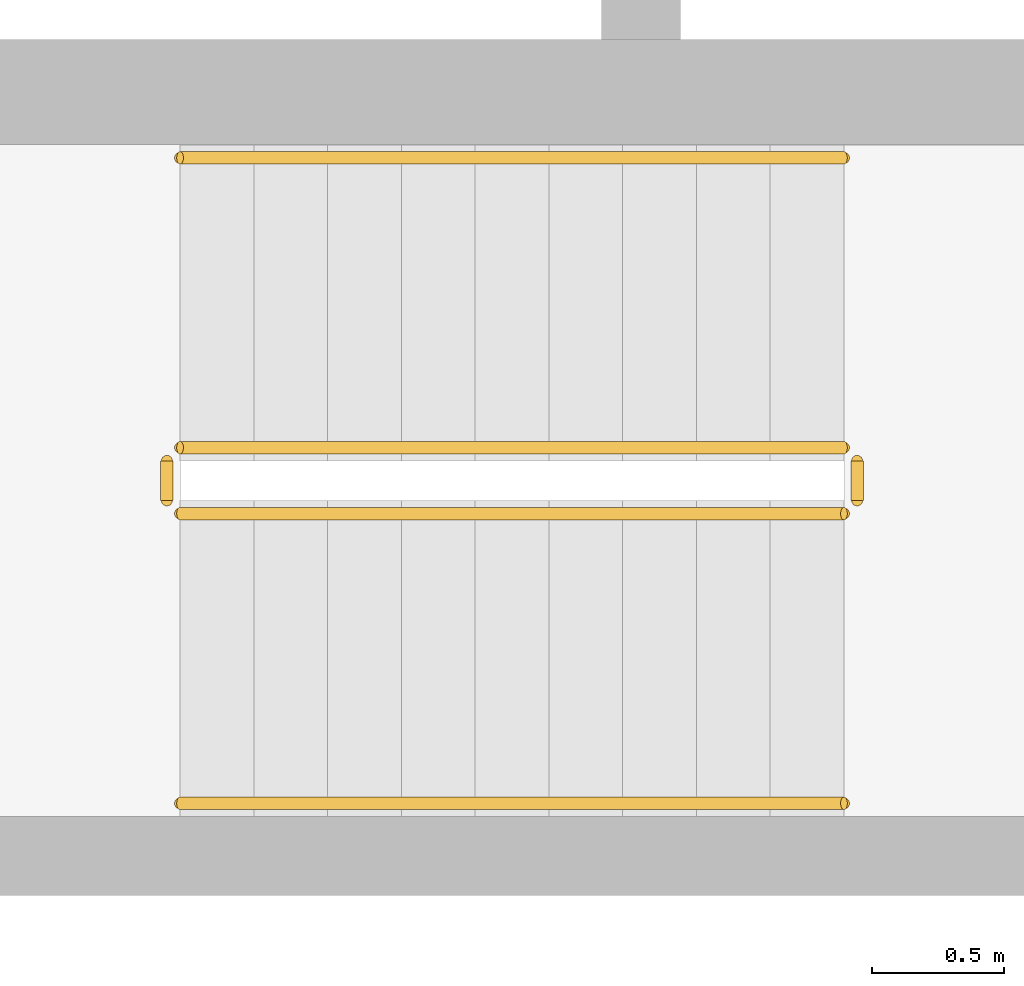
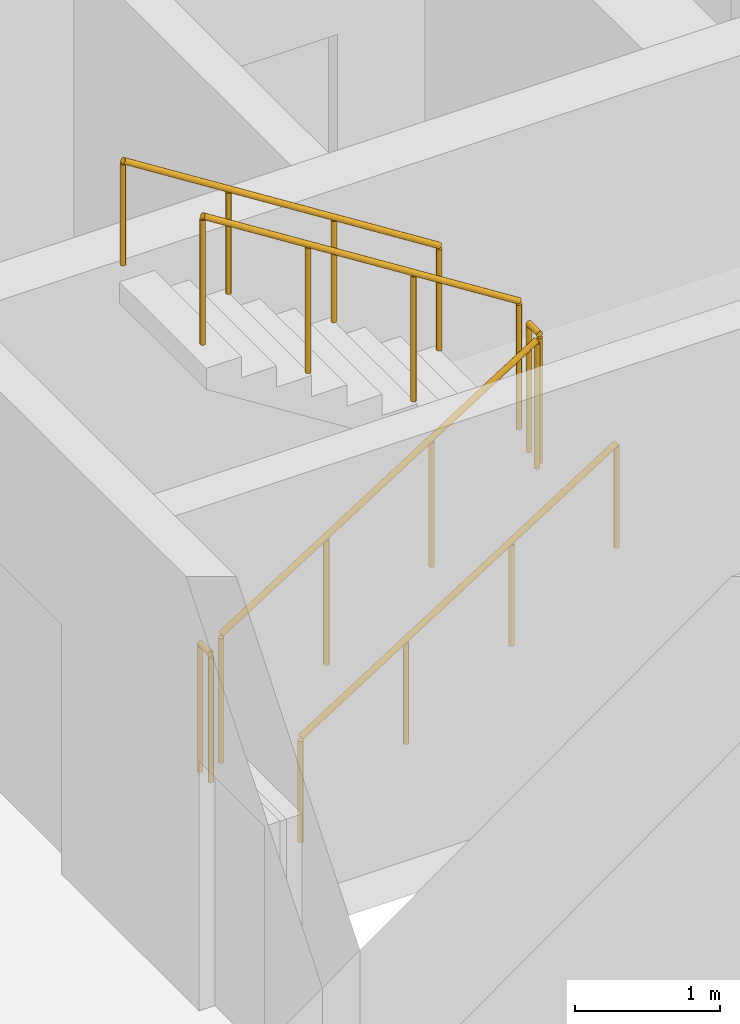
# One storey, part 14 of 16: 6 railings.
"""IFC4 building model written with IfcOpenShell, lengths in metres."""

from ifc_helpers import new_model, si_unit, direction, frame, origin, origin_2d, place, context, subcontext, project, spatial, circle, extrude, material, type_object, element, save


model = new_model("IFC4")

# Units and contexts
model_context = context("Model", 3, precision=1e-05, world=origin(), true_north=direction((0.0, 1.0)))
body_context = subcontext(model_context, "Body", "Model", "MODEL_VIEW")
ifc_project = project(units=[si_unit("LENGTHUNIT", "METRE"), si_unit("AREAUNIT", "SQUARE_METRE"), si_unit("VOLUMEUNIT", "CUBIC_METRE"), si_unit("PLANEANGLEUNIT", "RADIAN"), si_unit("MASSUNIT", "GRAM", prefix="KILO")], contexts=[model_context])

# Site, building, storey
site_placement = place(None, origin())
site = spatial("IfcSite", under=ifc_project, at=site_placement, CompositionType="ELEMENT")
building_placement = place(site_placement, origin())
building = spatial("IfcBuilding", under=site, at=building_placement, Name="Ostrand Prow Hotel Tower", CompositionType="ELEMENT")
storey_placement = place(building_placement, frame((0.0, 0.0, 245.64990234375)))
storey = spatial("IfcBuildingStorey", under=building, at=storey_placement, Name="L62", CompositionType="ELEMENT", Elevation=245.64990234375)

# Railings
ifc_material_1 = material(Name="Painted steel", Category="steel")
railing_type_1 = type_object("IfcRailingType", Name="Stair guard 1100", PredefinedType="GUARDRAIL", material=ifc_material_1)
railing_1_placement = place(storey_placement, frame((57.199951171875, -11.75, 0.177490234375)))
element("IfcRailing", 1, at=railing_1_placement, inside=storey, type_object=railing_type_1, Name="L62 ST2C stair guard 1", PredefinedType="GUARDRAIL", context=body_context, shape_type="SweptSolid", body=[
    extrude(circle(Radius=0.02392578125, at=origin_2d()), frame((0.0, 0.0, 1.076171875), z_axis=(0.84456994832, 0.0, 0.535445237532), x_axis=(0.0, 1.0, 0.0)), (0.0, 0.0, 1.0), 2.98388671875),
    extrude(circle(Radius=0.02099609375, at=origin_2d()), origin(), (0.0, 0.0, 1.0), 1.052001953125),
    extrude(circle(Radius=0.02099609375, at=origin_2d()), frame((0.840087890625, 0.0, 0.532470703125)), (0.0, 0.0, 1.0), 1.052001953125),
    extrude(circle(Radius=0.02099609375, at=origin_2d()), frame((1.679931640625, 0.0, 1.065185546875)), (0.0, 0.0, 1.0), 1.052001953125),
    extrude(circle(Radius=0.02099609375, at=origin_2d()), frame((2.52001953125, 0.0, 1.59765625)), (0.0, 0.0, 1.0), 1.052001953125),
])
railing_2_placement = place(storey_placement, frame((59.77001953125, -11.699951171875, 1.775146484375)))
element("IfcRailing", 2, at=railing_2_placement, inside=storey, type_object=railing_type_1, Name="L62 ST2C stair guard 2", PredefinedType="GUARDRAIL", context=body_context, shape_type="SweptSolid", body=[
    extrude(circle(Radius=0.02392578125, at=origin_2d()), frame((0.0, 0.0, 1.076171875), z_axis=(0.0, 1.0, 0.0), x_axis=(-1.0, 0.0, 0.0)), (0.0, 0.0, 1.0), 0.14990234375),
    extrude(circle(Radius=0.02099609375, at=origin_2d()), origin(), (0.0, 0.0, 1.0), 1.052001953125),
    extrude(circle(Radius=0.02099609375, at=origin_2d()), frame((0.0, 0.14990234375, 0.0)), (0.0, 0.0, 1.0), 1.052001953125),
])
railing_3_placement = place(storey_placement, frame((59.719970703125, -11.5, 1.95263671875)))
element("IfcRailing", 3, at=railing_3_placement, inside=storey, type_object=railing_type_1, Name="L62 ST2C stair guard 3", PredefinedType="GUARDRAIL", context=body_context, shape_type="SweptSolid", body=[
    extrude(circle(Radius=0.02392578125, at=origin_2d()), frame((0.0, 0.0, 1.076171875), z_axis=(-0.84460694969, 0.0, 0.535386869969), x_axis=(0.0, -1.0, 0.0)), (0.0, 0.0, 1.0), 2.983642578125),
    extrude(circle(Radius=0.02099609375, at=origin_2d()), origin(), (0.0, 0.0, 1.0), 1.052001953125),
    extrude(circle(Radius=0.02099609375, at=origin_2d()), frame((-0.840087890625, 0.0, 0.532470703125)), (0.0, 0.0, 1.0), 1.052001953125),
    extrude(circle(Radius=0.02099609375, at=origin_2d()), frame((-1.679931640625, 0.0, 1.06494140625)), (0.0, 0.0, 1.0), 1.052001953125),
    extrude(circle(Radius=0.02099609375, at=origin_2d()), frame((-2.52001953125, 0.0, 1.597412109375)), (0.0, 0.0, 1.0), 1.052001953125),
])
railing_4_placement = place(storey_placement, frame((57.14990234375, -11.699951171875, 0.0)))
element("IfcRailing", 4, at=railing_4_placement, inside=storey, type_object=railing_type_1, Name="L62 ST2C stair guard 4", PredefinedType="GUARDRAIL", context=body_context, shape_type="SweptSolid", body=[
    extrude(circle(Radius=0.02392578125, at=origin_2d()), frame((0.0, 0.0, 1.076171875), z_axis=(0.0, 1.0, 0.0), x_axis=(-1.0, 0.0, 0.0)), (0.0, 0.0, 1.0), 0.14990234375),
    extrude(circle(Radius=0.02099609375, at=origin_2d()), origin(), (0.0, 0.0, 1.0), 1.052001953125),
    extrude(circle(Radius=0.02099609375, at=origin_2d()), frame((0.0, 0.14990234375, 0.0)), (0.0, 0.0, 1.0), 1.052001953125),
])
ifc_material_2 = material(Name="Stainless steel", Category="steel")
railing_type_2 = type_object("IfcRailingType", Name="Stair handrail 900", PredefinedType="HANDRAIL", material=ifc_material_2)
railing_5_placement = place(storey_placement, frame((57.199951171875, -12.85009765625, 0.177490234375)))
element("IfcRailing", 5, at=railing_5_placement, inside=storey, type_object=railing_type_2, Name="L62 ST2C stair handrail 1", PredefinedType="HANDRAIL", context=body_context, shape_type="SweptSolid", body=[
    extrude(circle(Radius=0.02392578125, at=origin_2d()), frame((0.0, 0.0, 0.8759765625), z_axis=(0.84456994832, 0.0, 0.535445237532), x_axis=(0.0, 1.0, 0.0)), (0.0, 0.0, 1.0), 2.98388671875),
    extrude(circle(Radius=0.02099609375, at=origin_2d()), origin(), (0.0, 0.0, 1.0), 0.851806640625),
    extrude(circle(Radius=0.02099609375, at=origin_2d()), frame((0.840087890625, 0.0, 0.532470703125)), (0.0, 0.0, 1.0), 0.851806640625),
    extrude(circle(Radius=0.02099609375, at=origin_2d()), frame((1.679931640625, 0.0, 1.065185546875)), (0.0, 0.0, 1.0), 0.851806640625),
    extrude(circle(Radius=0.02099609375, at=origin_2d()), frame((2.52001953125, 0.0, 1.59765625)), (0.0, 0.0, 1.0), 0.851806640625),
])
railing_6_placement = place(storey_placement, frame((59.719970703125, -10.39990234375, 1.95263671875)))
element("IfcRailing", 6, at=railing_6_placement, inside=storey, type_object=railing_type_2, Name="L62 ST2C stair handrail 2", PredefinedType="HANDRAIL", context=body_context, shape_type="SweptSolid", body=[
    extrude(circle(Radius=0.02392578125, at=origin_2d()), frame((0.0, 0.0, 0.8759765625), z_axis=(-0.84460694969, 0.0, 0.535386869969), x_axis=(0.0, -1.0, 0.0)), (0.0, 0.0, 1.0), 2.983642578125),
    extrude(circle(Radius=0.02099609375, at=origin_2d()), origin(), (0.0, 0.0, 1.0), 0.851806640625),
    extrude(circle(Radius=0.02099609375, at=origin_2d()), frame((-0.840087890625, 0.0, 0.532470703125)), (0.0, 0.0, 1.0), 0.851806640625),
    extrude(circle(Radius=0.02099609375, at=origin_2d()), frame((-1.679931640625, 0.0, 1.06494140625)), (0.0, 0.0, 1.0), 0.851806640625),
    extrude(circle(Radius=0.02099609375, at=origin_2d()), frame((-2.52001953125, 0.0, 1.597412109375)), (0.0, 0.0, 1.0), 0.851806640625),
])

save(model, "model.ifc")
